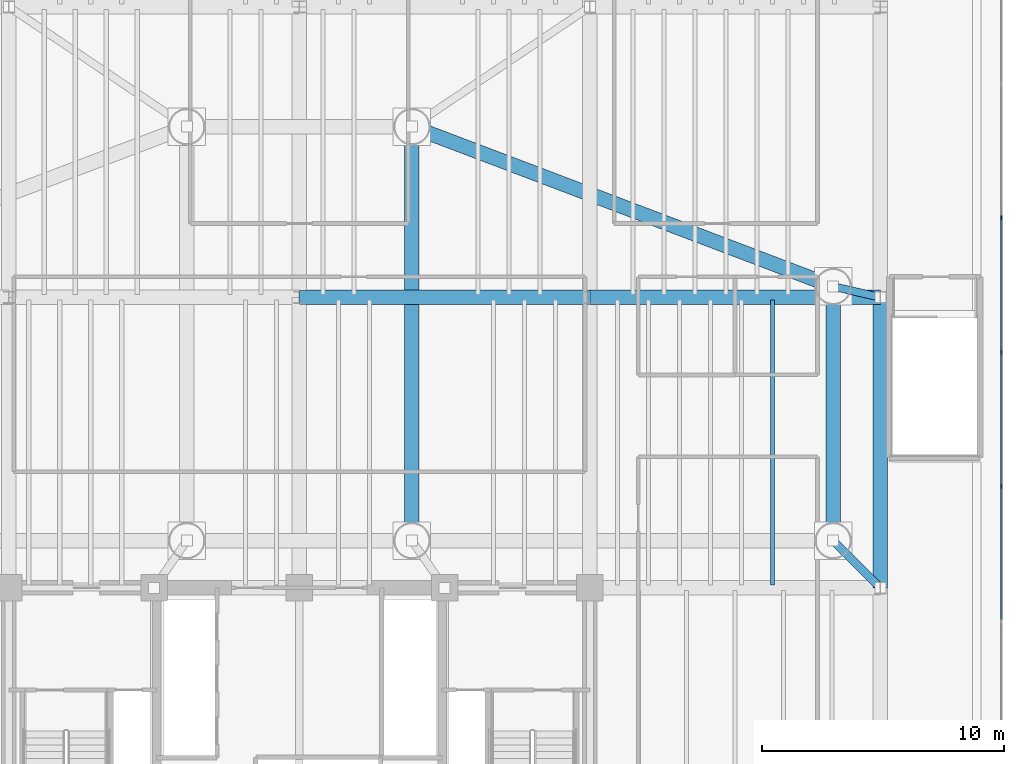
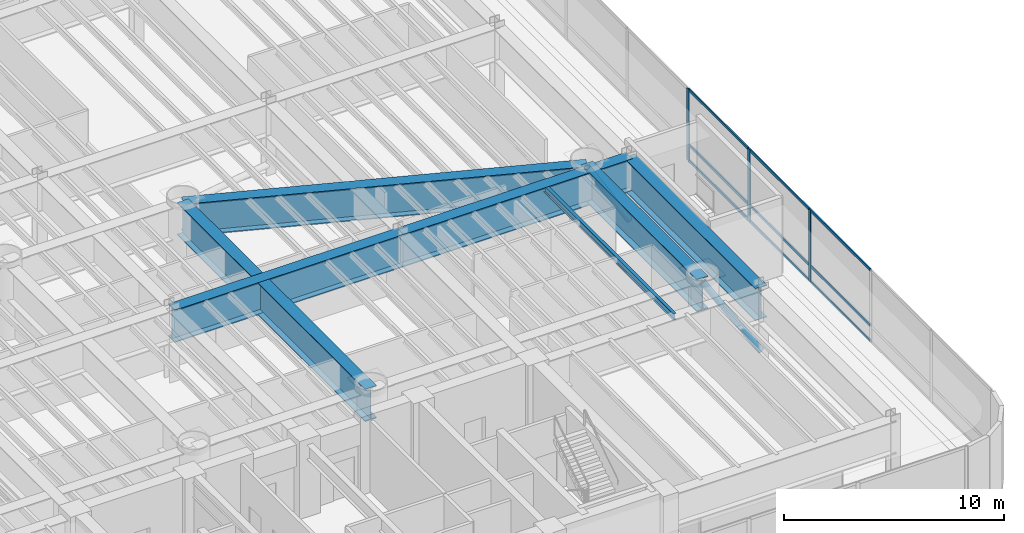
# One storey, part 6 of 18: 14 members, 7 beams, 1 element without a shape of its own.
"""IFC4 building model written with IfcOpenShell, lengths in metres."""

from ifc_helpers import new_model, si_unit, direction, frame, origin, origin_2d, place, context, subcontext, project, spatial, rectangle, hollow_circle, i_section, extrude, source, transform, mapped, material, layer, layer_set, material_profile, profile_set, type_object, element, aggregate, save


model = new_model("IFC4")

# Units and contexts
model_context = context("Model", 3, precision=1e-05, world=origin(), true_north=direction((0.0, 1.0)))
body_context = subcontext(model_context, "Body", "Model", "MODEL_VIEW")
ifc_project = project(units=[si_unit("LENGTHUNIT", "METRE"), si_unit("AREAUNIT", "SQUARE_METRE"), si_unit("VOLUMEUNIT", "CUBIC_METRE"), si_unit("PLANEANGLEUNIT", "RADIAN"), si_unit("MASSUNIT", "GRAM", prefix="KILO")], contexts=[model_context])

# Site, building, storey
site_placement = place(None, origin())
site = spatial("IfcSite", under=ifc_project, at=site_placement, CompositionType="ELEMENT")
building_placement = place(site_placement, origin())
building = spatial("IfcBuilding", under=site, at=building_placement, Name="Brelvock Crest Care Tower", CompositionType="ELEMENT")
storey_placement = place(building_placement, frame((0.0, 0.0, 22.679931640625)))
storey = spatial("IfcBuildingStorey", under=building, at=storey_placement, Name="L05", CompositionType="ELEMENT", Elevation=22.679931640625)

# Beams
ifc_material_1 = material(Name="Steel Grade 350", Category="steel")
ifc_material_profile_1 = material_profile(ifc_material_1, i_section(OverallWidth=0.172119140625, OverallDepth=0.35888671875, WebThickness=0.008056640625, FlangeThickness=0.012939453125, FilletRadius=0.011474609375, at=origin_2d()), Name="360UB56.7")
ifc_profile_set_1 = profile_set([ifc_material_profile_1], Name="Steel Grade 350")
beam_type_1 = type_object("IfcBeamType", Name="BM-J1", PredefinedType="JOIST", material=ifc_profile_set_1)
shared_shape_1 = source(origin(), body_context, "Body", "SweptSolid", [
    extrude(i_section(OverallWidth=0.172119140625, OverallDepth=0.35888671875, WebThickness=0.008056640625, FlangeThickness=0.012939453125, FilletRadius=0.011474609375, at=origin_2d()), origin(), (0.0, 0.0, 1.0), 11.77001953125),
])
beam_1_placement = place(storey_placement, frame((55.5400390625, 18.114990234375, 3.820556640625), z_axis=(0.0, 1.0, 0.0), x_axis=(-1.0, 0.0, 0.0)))
element("IfcBeam", 1, at=beam_1_placement, inside=storey, type_object=beam_type_1, Name="BM-PODJ-L05-5554-18", PredefinedType="JOIST", context=body_context, shape_type="MappedRepresentation", body=[
    mapped(shared_shape_1, transform((0.0, 0.0, 0.0), x_axis=(1.0, 0.0, 0.0), y_axis=(0.0, 1.0, 0.0), z_axis=(0.0, 0.0, 1.0), scale=1.0)),
])
ifc_material_profile_2 = material_profile(ifc_material_1, i_section(OverallWidth=0.60009765625, OverallDepth=1.800048828125, WebThickness=0.028076171875, FlangeThickness=0.052001953125, at=origin_2d()), Name="1800TG740")
ifc_profile_set_2 = profile_set([ifc_material_profile_2], Name="Steel Grade 350")
beam_type_2 = type_object("IfcBeamType", Name="BM-TG1", PredefinedType="USERDEFINED", material=ifc_profile_set_2)
shared_shape_2 = source(origin(), body_context, "Body", "SweptSolid", [
    extrude(i_section(OverallWidth=0.60009765625, OverallDepth=1.800048828125, WebThickness=0.028076171875, FlangeThickness=0.052001953125, at=origin_2d()), origin(), (0.0, 0.0, 1.0), 12.0),
])
for number, where, z_axis, x_axis, name in (
    (2, (36.0, 30.0, 3.10009765625), (1.0, 0.0, 0.0), (0.0, 1.0, 0.0), "BM-PODX-L05-30-36"),
    (3, (48.0, 30.0, 3.10009765625), (1.0, 0.0, 0.0), (0.0, 1.0, 0.0), "BM-PODX-L05-30-48"),
    (4, (60.0, 18.0, 3.10009765625), (0.0, 1.0, 0.0), (-1.0, 0.0, 0.0), "BM-PODY-L05-60-18"),
):
    element("IfcBeam", number, at=place(storey_placement, frame(where, z_axis=z_axis, x_axis=x_axis)), inside=storey, type_object=beam_type_2, Name=name, ObjectType="GIRDER", PredefinedType="USERDEFINED", context=body_context, shape_type="MappedRepresentation", body=[
        mapped(shared_shape_2, transform((0.0, 0.0, 0.0), x_axis=(1.0, 0.0, 0.0), y_axis=(0.0, 1.0, 0.0), z_axis=(0.0, 0.0, 1.0), scale=1.0)),
    ])
shared_shape_3 = source(origin(), body_context, "Body", "SweptSolid", [
    extrude(i_section(OverallWidth=0.60009765625, OverallDepth=1.800048828125, WebThickness=0.028076171875, FlangeThickness=0.052001953125, at=origin_2d()), origin(), (0.0, 0.0, 1.0), 10.5),
])
beam_2_placement = place(storey_placement, frame((58.050048828125, 19.949951171875, 3.10009765625), z_axis=(0.0, 1.0, 0.0), x_axis=(-1.0, 0.0, 0.0)))
element("IfcBeam", 5, at=beam_2_placement, inside=storey, type_object=beam_type_2, Name="BM-TWR-L05-02", ObjectType="GIRDER", PredefinedType="USERDEFINED", context=body_context, shape_type="MappedRepresentation", body=[
    mapped(shared_shape_3, transform((0.0, 0.0, 0.0), x_axis=(1.0, 0.0, 0.0), y_axis=(0.0, 1.0, 0.0), z_axis=(0.0, 0.0, 1.0), scale=1.0)),
])
shared_shape_4 = source(origin(), body_context, "Body", "SweptSolid", [
    extrude(i_section(OverallWidth=0.60009765625, OverallDepth=1.800048828125, WebThickness=0.028076171875, FlangeThickness=0.052001953125, at=origin_2d()), origin(), (0.0, 0.0, 1.0), 18.60986328125),
])
beam_3_placement = place(storey_placement, frame((40.64990234375, 37.050048828125, 3.10009765625), z_axis=(0.934996776275, -0.3546562115, 0.0), x_axis=(0.3546562115, 0.934996776275, 0.0)))
element("IfcBeam", 6, at=beam_3_placement, inside=storey, type_object=beam_type_2, Name="BM-TWR-L05-07", ObjectType="GIRDER", PredefinedType="USERDEFINED", context=body_context, shape_type="MappedRepresentation", body=[
    mapped(shared_shape_4, transform((0.0, 0.0, 0.0), x_axis=(1.0, 0.0, 0.0), y_axis=(0.0, 1.0, 0.0), z_axis=(0.0, 0.0, 1.0), scale=1.0)),
])
shared_shape_5 = source(origin(), body_context, "Body", "SweptSolid", [
    extrude(i_section(OverallWidth=0.60009765625, OverallDepth=1.800048828125, WebThickness=0.028076171875, FlangeThickness=0.052001953125, at=origin_2d()), origin(), (0.0, 0.0, 1.0), 17.10009765625),
])
beam_4_placement = place(storey_placement, frame((40.64990234375, 19.949951171875, 3.10009765625), z_axis=(0.0, 1.0, 0.0), x_axis=(-1.0, 0.0, 0.0)))
element("IfcBeam", 7, at=beam_4_placement, inside=storey, type_object=beam_type_2, Name="BM-TWR-L05-10", ObjectType="GIRDER", PredefinedType="USERDEFINED", context=body_context, shape_type="MappedRepresentation", body=[
    mapped(shared_shape_5, transform((0.0, 0.0, 0.0), x_axis=(1.0, 0.0, 0.0), y_axis=(0.0, 1.0, 0.0), z_axis=(0.0, 0.0, 1.0), scale=1.0)),
])

# Members
ifc_material_profile_3 = material_profile(ifc_material_1, hollow_circle(Radius=0.161865234375, WallThickness=0.0126953125, at=origin_2d()), Name="CHS323.9x12.7")
ifc_profile_set_3 = profile_set([ifc_material_profile_3], Name="Steel Grade 350")
member_type_1 = type_object("IfcMemberType", Name="MEM-ST1", PredefinedType="STRUT", material=ifc_profile_set_3)
shared_shape_6 = source(origin(), body_context, "Body", "SweptSolid", [
    extrude(hollow_circle(Radius=0.161865234375, WallThickness=0.0126953125, at=origin_2d()), origin(), (0.0, 0.0, 1.0), 4.31591796875),
])
member_1_placement = place(storey_placement, frame((60.0, 18.0, 0.449951171875), z_axis=(-0.451800559621, 0.451800559621, 0.769254514873), x_axis=(-0.707106781187, -0.707106781187, 0.0)))
element("IfcMember", 8, at=member_1_placement, inside=storey, type_object=member_type_1, Name="L05 Transfer Strut PST-03", PredefinedType="STRUT", context=body_context, shape_type="MappedRepresentation", body=[
    mapped(shared_shape_6, transform((0.0, 0.0, 0.0), x_axis=(1.0, 0.0, 0.0), y_axis=(0.0, 1.0, 0.0), z_axis=(0.0, 0.0, 1.0), scale=1.0)),
])
shared_shape_7 = source(origin(), body_context, "Body", "SweptSolid", [
    extrude(hollow_circle(Radius=0.161865234375, WallThickness=0.0126953125, at=origin_2d()), origin(), (0.0, 0.0, 1.0), 3.87646484375),
])
member_2_placement = place(storey_placement, frame((60.0, 30.0, 0.449951171875), z_axis=(-0.503012341625, 0.116070082085, 0.856449835202), x_axis=(-0.224841686778, -0.974395307812, 0.0)))
element("IfcMember", 9, at=member_2_placement, inside=storey, type_object=member_type_1, Name="L05 Transfer Strut PST-04", PredefinedType="STRUT", context=body_context, shape_type="MappedRepresentation", body=[
    mapped(shared_shape_7, transform((0.0, 0.0, 0.0), x_axis=(1.0, 0.0, 0.0), y_axis=(0.0, 1.0, 0.0), z_axis=(0.0, 0.0, 1.0), scale=1.0)),
])

# Curtain wall, members
ifc_material_2 = material(Name="Dark Glass Double Glazed Low-E", Category="glass")
ifc_layer = layer(ifc_material_2, 0.179931640625, Name="CWS-1")
ifc_layer_set = layer_set([ifc_layer], Name="Dark Glass Double Glazed Low-E")
curtain_wall_type = type_object("IfcCurtainWallType", Name="CWS-1", PredefinedType="NOTDEFINED", material=ifc_layer_set)
curtain_wall_placement = place(storey_placement, origin())
curtain_wall = element("IfcCurtainWall", 10, at=curtain_wall_placement, inside=storey, type_object=curtain_wall_type, Name="L05 Curtain Wall E14", PredefinedType="NOTDEFINED")
ifc_material_3 = material(Name="Aluminium 6063-T6", Category="aluminium")
ifc_material_profile_4 = material_profile(ifc_material_3, rectangle(XDim=0.06494140625, YDim=0.14990234375, at=origin_2d()), Name="ALU65x150")
ifc_profile_set_4 = profile_set([ifc_material_profile_4], Name="Aluminium 6063-T6")
member_type_2 = type_object("IfcMemberType", Name="CWT-1", PredefinedType="USERDEFINED", material=ifc_profile_set_4)
shared_shape_8 = source(origin(), body_context, "Body", "SweptSolid", [
    extrude(rectangle(XDim=0.06494140625, YDim=0.14990234375, at=origin_2d()), origin(), (0.0, 0.0, 1.0), 5.468505859375),
])
member_3_placement = place(storey_placement, frame((65.0, 27.700927734375, 0.032470703125), z_axis=(0.0, -1.0, 0.0), x_axis=(1.0, 0.0, 0.0)))
member_3 = element("IfcMember", 11, at=member_3_placement, type_object=member_type_2, Name="CW-1 transom 6.1", ObjectType="TRANSOM", PredefinedType="USERDEFINED", context=body_context, shape_type="MappedRepresentation", body=[
    mapped(shared_shape_8, transform((0.0, 0.0, 0.0), x_axis=(1.0, 0.0, 0.0), y_axis=(0.0, 1.0, 0.0), z_axis=(0.0, 0.0, 1.0), scale=1.0)),
])
member_4_placement = place(storey_placement, frame((65.0, 27.700927734375, 0.900146484375), z_axis=(0.0, -1.0, 0.0), x_axis=(1.0, 0.0, 0.0)))
member_4 = element("IfcMember", 12, at=member_4_placement, type_object=member_type_2, Name="CW-1 transom 6.2", ObjectType="TRANSOM", PredefinedType="USERDEFINED", context=body_context, shape_type="MappedRepresentation", body=[
    mapped(shared_shape_8, transform((0.0, 0.0, 0.0), x_axis=(1.0, 0.0, 0.0), y_axis=(0.0, 1.0, 0.0), z_axis=(0.0, 0.0, 1.0), scale=1.0)),
])
member_5_placement = place(storey_placement, frame((65.0, 27.700927734375, 3.967529296875), z_axis=(0.0, -1.0, 0.0), x_axis=(1.0, 0.0, 0.0)))
member_5 = element("IfcMember", 13, at=member_5_placement, type_object=member_type_2, Name="CW-1 transom 6.3", ObjectType="TRANSOM", PredefinedType="USERDEFINED", context=body_context, shape_type="MappedRepresentation", body=[
    mapped(shared_shape_8, transform((0.0, 0.0, 0.0), x_axis=(1.0, 0.0, 0.0), y_axis=(0.0, 1.0, 0.0), z_axis=(0.0, 0.0, 1.0), scale=1.0)),
])
shared_shape_9 = source(origin(), body_context, "Body", "SweptSolid", [
    extrude(rectangle(XDim=0.06494140625, YDim=0.14990234375, at=origin_2d()), origin(), (0.0, 0.0, 1.0), 5.46826171875),
])
member_6_placement = place(storey_placement, frame((65.0, 33.234130859375, 0.032470703125), z_axis=(0.0, -1.0, 0.0), x_axis=(1.0, 0.0, 0.0)))
member_6 = element("IfcMember", 14, at=member_6_placement, type_object=member_type_2, Name="CW-1 transom 5.1", ObjectType="TRANSOM", PredefinedType="USERDEFINED", context=body_context, shape_type="MappedRepresentation", body=[
    mapped(shared_shape_9, transform((0.0, 0.0, 0.0), x_axis=(1.0, 0.0, 0.0), y_axis=(0.0, 1.0, 0.0), z_axis=(0.0, 0.0, 1.0), scale=1.0)),
])
member_7_placement = place(storey_placement, frame((65.0, 33.234130859375, 0.900146484375), z_axis=(0.0, -1.0, 0.0), x_axis=(1.0, 0.0, 0.0)))
member_7 = element("IfcMember", 15, at=member_7_placement, type_object=member_type_2, Name="CW-1 transom 5.2", ObjectType="TRANSOM", PredefinedType="USERDEFINED", context=body_context, shape_type="MappedRepresentation", body=[
    mapped(shared_shape_9, transform((0.0, 0.0, 0.0), x_axis=(1.0, 0.0, 0.0), y_axis=(0.0, 1.0, 0.0), z_axis=(0.0, 0.0, 1.0), scale=1.0)),
])
member_8_placement = place(storey_placement, frame((65.0, 33.234130859375, 3.967529296875), z_axis=(0.0, -1.0, 0.0), x_axis=(1.0, 0.0, 0.0)))
member_8 = element("IfcMember", 16, at=member_8_placement, type_object=member_type_2, Name="CW-1 transom 5.3", ObjectType="TRANSOM", PredefinedType="USERDEFINED", context=body_context, shape_type="MappedRepresentation", body=[
    mapped(shared_shape_9, transform((0.0, 0.0, 0.0), x_axis=(1.0, 0.0, 0.0), y_axis=(0.0, 1.0, 0.0), z_axis=(0.0, 0.0, 1.0), scale=1.0)),
])
member_9_placement = place(storey_placement, frame((65.0, 22.16748046875, 0.032470703125), z_axis=(0.0, -1.0, 0.0), x_axis=(1.0, 0.0, 0.0)))
member_9 = element("IfcMember", 17, at=member_9_placement, type_object=member_type_2, Name="CW-1 transom 7.1", ObjectType="TRANSOM", PredefinedType="USERDEFINED", context=body_context, shape_type="MappedRepresentation", body=[
    mapped(shared_shape_9, transform((0.0, 0.0, 0.0), x_axis=(1.0, 0.0, 0.0), y_axis=(0.0, 1.0, 0.0), z_axis=(0.0, 0.0, 1.0), scale=1.0)),
])
member_10_placement = place(storey_placement, frame((65.0, 22.16748046875, 0.900146484375), z_axis=(0.0, -1.0, 0.0), x_axis=(1.0, 0.0, 0.0)))
member_10 = element("IfcMember", 18, at=member_10_placement, type_object=member_type_2, Name="CW-1 transom 7.2", ObjectType="TRANSOM", PredefinedType="USERDEFINED", context=body_context, shape_type="MappedRepresentation", body=[
    mapped(shared_shape_9, transform((0.0, 0.0, 0.0), x_axis=(1.0, 0.0, 0.0), y_axis=(0.0, 1.0, 0.0), z_axis=(0.0, 0.0, 1.0), scale=1.0)),
])
member_11_placement = place(storey_placement, frame((65.0, 22.16748046875, 3.967529296875), z_axis=(0.0, -1.0, 0.0), x_axis=(1.0, 0.0, 0.0)))
member_11 = element("IfcMember", 19, at=member_11_placement, type_object=member_type_2, Name="CW-1 transom 7.3", ObjectType="TRANSOM", PredefinedType="USERDEFINED", context=body_context, shape_type="MappedRepresentation", body=[
    mapped(shared_shape_9, transform((0.0, 0.0, 0.0), x_axis=(1.0, 0.0, 0.0), y_axis=(0.0, 1.0, 0.0), z_axis=(0.0, 0.0, 1.0), scale=1.0)),
])
ifc_material_profile_5 = material_profile(ifc_material_3, rectangle(XDim=0.06494140625, YDim=0.199951171875, at=origin_2d()), Name="ALU65x200")
ifc_profile_set_5 = profile_set([ifc_material_profile_5], Name="Aluminium 6063-T6")
member_type_3 = type_object("IfcMemberType", Name="CWM-1", PredefinedType="MULLION", material=ifc_profile_set_5)
shared_shape_10 = source(origin(), body_context, "Body", "SweptSolid", [
    extrude(rectangle(XDim=0.06494140625, YDim=0.199951171875, at=origin_2d()), origin(), (0.0, 0.0, 1.0), 4.0),
])
member_12_placement = place(storey_placement, frame((65.0, 33.2666015625, 0.0), z_axis=(0.0, 0.0, 1.0), x_axis=(1.0, 0.0, 0.0)))
member_12 = element("IfcMember", 20, at=member_12_placement, type_object=member_type_3, Name="CW-1 mullion 5", PredefinedType="MULLION", context=body_context, shape_type="MappedRepresentation", body=[
    mapped(shared_shape_10, transform((0.0, 0.0, 0.0), x_axis=(1.0, 0.0, 0.0), y_axis=(0.0, 1.0, 0.0), z_axis=(0.0, 0.0, 1.0), scale=1.0)),
])
member_13_placement = place(storey_placement, frame((65.0, 27.7333984375, 0.0), z_axis=(0.0, 0.0, 1.0), x_axis=(1.0, 0.0, 0.0)))
member_13 = element("IfcMember", 21, at=member_13_placement, type_object=member_type_3, Name="CW-1 mullion 6", PredefinedType="MULLION", context=body_context, shape_type="MappedRepresentation", body=[
    mapped(shared_shape_10, transform((0.0, 0.0, 0.0), x_axis=(1.0, 0.0, 0.0), y_axis=(0.0, 1.0, 0.0), z_axis=(0.0, 0.0, 1.0), scale=1.0)),
])
member_14_placement = place(storey_placement, frame((65.0, 22.199951171875, 0.0), z_axis=(0.0, 0.0, 1.0), x_axis=(1.0, 0.0, 0.0)))
member_14 = element("IfcMember", 22, at=member_14_placement, type_object=member_type_3, Name="CW-1 mullion 7", PredefinedType="MULLION", context=body_context, shape_type="MappedRepresentation", body=[
    mapped(shared_shape_10, transform((0.0, 0.0, 0.0), x_axis=(1.0, 0.0, 0.0), y_axis=(0.0, 1.0, 0.0), z_axis=(0.0, 0.0, 1.0), scale=1.0)),
])
aggregate(curtain_wall, [member_12, member_13, member_14, member_6, member_7, member_8, member_3, member_4, member_5, member_9, member_10, member_11])

save(model, "model.ifc")
